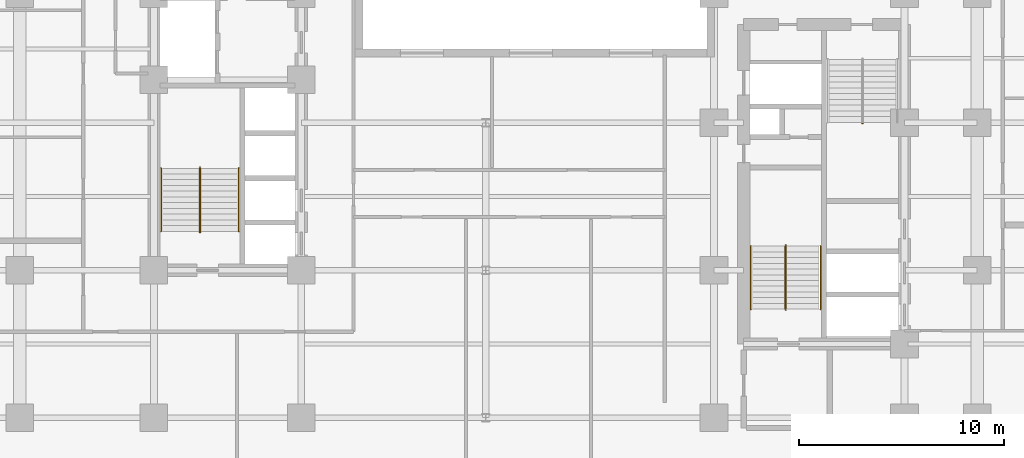
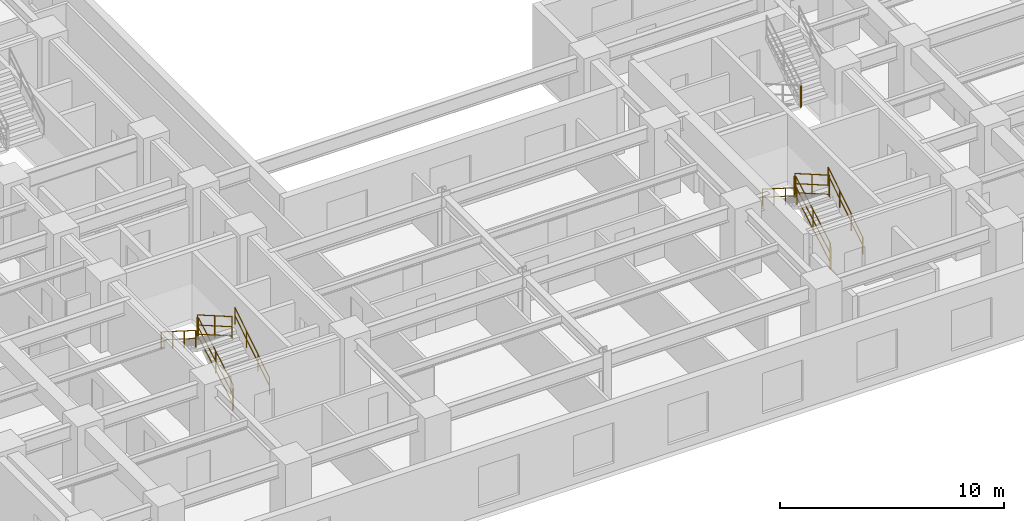
# One storey, part 7 of 9: 13 railings.
"""IFC4 building model written with IfcOpenShell, lengths in metres."""

from ifc_helpers import new_model, entity, si_unit, converted_unit, direction, frame, origin_with_axes, origin_2d_with_axis, place, context, subcontext, project, spatial, rectangle, circle, extrude, material, type_object, element, save


model = new_model("IFC4")

# Units and contexts
model_context = context("Model", 3, precision=1e-05, world=origin_with_axes(), true_north=direction((0.0, 1.0)))
body_context = subcontext(model_context, "Body", "Model", "MODEL_VIEW")
ifc_project = project(units=[si_unit("LENGTHUNIT", "METRE"), si_unit("AREAUNIT", "SQUARE_METRE"), si_unit("VOLUMEUNIT", "CUBIC_METRE"), converted_unit("PLANEANGLEUNIT", "DEGREE", entity("IfcPlaneAngleMeasure", 0.017453292519943295), si_unit("PLANEANGLEUNIT", "RADIAN"), dimensions=[0, 0, 0, 0, 0, 0, 0]), si_unit("MASSUNIT", "GRAM", prefix="KILO"), si_unit("THERMODYNAMICTEMPERATUREUNIT", "KELVIN")], contexts=[model_context])

# Site, building, storey
site_placement = place(None, origin_with_axes())
site = spatial("IfcSite", under=ifc_project, at=site_placement, CompositionType="ELEMENT")
building_placement = place(site_placement, origin_with_axes())
building = spatial("IfcBuilding", under=site, at=building_placement, Name="Varnlund Millrace Tower", CompositionType="ELEMENT")
storey_placement = place(building_placement, frame((0.0, 0.0, 52.2), z_axis=(0.0, 0.0, 1.0), x_axis=(1.0, 0.0, 0.0)))
storey = spatial("IfcBuildingStorey", under=building, at=storey_placement, Name="L12", CompositionType="ELEMENT", Elevation=52.2)

# Railings
ifc_material_1 = material(Name="Painted steel stair well balustrade guard", Category="steel")
railing_type_1 = type_object("IfcRailingType", Name="Type-StairGuard-1150", PredefinedType="GUARDRAIL", material=ifc_material_1)
railing_1_placement = place(storey_placement, frame((0.0, 0.0, -52.2), z_axis=(0.0, 0.0, 1.0), x_axis=(1.0, 0.0, 0.0)))
element("IfcRailing", 1, at=railing_1_placement, inside=storey, type_object=railing_type_1, Name="Type-StairGuard-1150", PredefinedType="GUARDRAIL", context=body_context, shape_type="SweptSolid", body=[
    extrude(circle(Radius=0.024, at=origin_2d_with_axis()), frame((13.675, 12.7, 53.527273), z_axis=(0.0, 0.866696, 0.498836), x_axis=(-1.0, 0.0, 0.0)), (0.0, 0.0, 1.0), 3.553725),
    extrude(circle(Radius=0.024, at=origin_2d_with_axis()), frame((13.675, 12.7, 52.477273), z_axis=(0.0, 0.866696, 0.498836), x_axis=(-1.0, 0.0, 0.0)), (0.0, 0.0, 1.0), 3.553725),
    extrude(circle(Radius=0.024, at=origin_2d_with_axis()), frame((13.675, 12.7, 52.975273), z_axis=(0.0, 0.866696, 0.498836), x_axis=(-1.0, 0.0, 0.0)), (0.0, 0.0, 1.0), 3.553725),
    extrude(rectangle(XDim=0.04, YDim=0.04, at=origin_2d_with_axis()), frame((13.675, 12.7, 52.337273), z_axis=(0.0, 0.0, 1.0), x_axis=(1.0, 0.0, 0.0)), (0.0, 0.0, 1.0), 1.19),
    extrude(rectangle(XDim=0.04, YDim=0.04, at=origin_2d_with_axis()), frame((13.675, 14.24, 53.223637), z_axis=(0.0, 0.0, 1.0), x_axis=(1.0, 0.0, 0.0)), (0.0, 0.0, 1.0), 1.19),
    extrude(rectangle(XDim=0.04, YDim=0.04, at=origin_2d_with_axis()), frame((13.675, 15.78, 54.11), z_axis=(0.0, 0.0, 1.0), x_axis=(1.0, 0.0, 0.0)), (0.0, 0.0, 1.0), 1.19),
])
railing_2_placement = place(storey_placement, frame((0.0, 0.0, -52.2), z_axis=(0.0, 0.0, 1.0), x_axis=(1.0, 0.0, 0.0)))
element("IfcRailing", 2, at=railing_2_placement, inside=storey, type_object=railing_type_1, Name="Type-StairGuard-1150", PredefinedType="GUARDRAIL", context=body_context, shape_type="SweptSolid", body=[
    extrude(circle(Radius=0.024, at=origin_2d_with_axis()), frame((13.625, 15.83, 55.3), z_axis=(1.0, 0.0, 0.0), x_axis=(0.0, 1.0, 0.0)), (0.0, 0.0, 1.0), 0.05),
    extrude(circle(Radius=0.024, at=origin_2d_with_axis()), frame((13.625, 15.83, 54.25), z_axis=(1.0, 0.0, 0.0), x_axis=(0.0, 1.0, 0.0)), (0.0, 0.0, 1.0), 0.05),
    extrude(circle(Radius=0.024, at=origin_2d_with_axis()), frame((13.625, 15.83, 54.748), z_axis=(1.0, 0.0, 0.0), x_axis=(0.0, 1.0, 0.0)), (0.0, 0.0, 1.0), 0.05),
    extrude(rectangle(XDim=0.04, YDim=0.04, at=origin_2d_with_axis()), frame((13.625, 15.83, 54.11), z_axis=(0.0, 0.0, 1.0), x_axis=(1.0, 0.0, 0.0)), (0.0, 0.0, 1.0), 1.19),
    extrude(rectangle(XDim=0.04, YDim=0.04, at=origin_2d_with_axis()), frame((13.675, 15.83, 54.11), z_axis=(0.0, 0.0, 1.0), x_axis=(1.0, 0.0, 0.0)), (0.0, 0.0, 1.0), 1.19),
])
railing_3_placement = place(storey_placement, frame((0.0, 0.0, -52.2), z_axis=(0.0, 0.0, 1.0), x_axis=(1.0, 0.0, 0.0)))
element("IfcRailing", 3, at=railing_3_placement, inside=storey, type_object=railing_type_1, Name="Type-StairGuard-1150", PredefinedType="GUARDRAIL", context=body_context, shape_type="SweptSolid", body=[
    extrude(circle(Radius=0.024, at=origin_2d_with_axis()), frame((13.625, 15.78, 55.477273), z_axis=(0.0, -0.866696, 0.498836), x_axis=(1.0, 0.0, 0.0)), (0.0, 0.0, 1.0), 3.553725),
    extrude(circle(Radius=0.024, at=origin_2d_with_axis()), frame((13.625, 15.78, 54.427273), z_axis=(0.0, -0.866696, 0.498836), x_axis=(1.0, 0.0, 0.0)), (0.0, 0.0, 1.0), 3.553725),
    extrude(circle(Radius=0.024, at=origin_2d_with_axis()), frame((13.625, 15.78, 54.925273), z_axis=(0.0, -0.866696, 0.498836), x_axis=(1.0, 0.0, 0.0)), (0.0, 0.0, 1.0), 3.553725),
    extrude(rectangle(XDim=0.04, YDim=0.04, at=origin_2d_with_axis()), frame((13.625, 15.78, 54.287273), z_axis=(0.0, 0.0, 1.0), x_axis=(1.0, 0.0, 0.0)), (0.0, 0.0, 1.0), 1.19),
    extrude(rectangle(XDim=0.04, YDim=0.04, at=origin_2d_with_axis()), frame((13.625, 14.24, 55.173636), z_axis=(0.0, 0.0, 1.0), x_axis=(1.0, 0.0, 0.0)), (0.0, 0.0, 1.0), 1.19),
    extrude(rectangle(XDim=0.04, YDim=0.04, at=origin_2d_with_axis()), frame((13.625, 12.7, 56.06), z_axis=(0.0, 0.0, 1.0), x_axis=(1.0, 0.0, 0.0)), (0.0, 0.0, 1.0), 1.19),
])
railing_4_placement = place(storey_placement, frame((0.0, 0.0, -52.2), z_axis=(0.0, 0.0, 1.0), x_axis=(1.0, 0.0, 0.0)))
element("IfcRailing", 4, at=railing_4_placement, inside=storey, type_object=railing_type_1, Name="Type-StairGuard-1150", PredefinedType="GUARDRAIL", context=body_context, shape_type="SweptSolid", body=[
    extrude(circle(Radius=0.024, at=origin_2d_with_axis()), frame((13.625, 12.65, 53.35), z_axis=(1.0, 0.0, 0.0), x_axis=(0.0, 1.0, 0.0)), (0.0, 0.0, 1.0), 0.05),
    extrude(circle(Radius=0.024, at=origin_2d_with_axis()), frame((13.625, 12.65, 52.3), z_axis=(1.0, 0.0, 0.0), x_axis=(0.0, 1.0, 0.0)), (0.0, 0.0, 1.0), 0.05),
    extrude(circle(Radius=0.024, at=origin_2d_with_axis()), frame((13.625, 12.65, 52.798), z_axis=(1.0, 0.0, 0.0), x_axis=(0.0, 1.0, 0.0)), (0.0, 0.0, 1.0), 0.05),
    extrude(rectangle(XDim=0.04, YDim=0.04, at=origin_2d_with_axis()), frame((13.625, 12.65, 52.16), z_axis=(0.0, 0.0, 1.0), x_axis=(1.0, 0.0, 0.0)), (0.0, 0.0, 1.0), 1.19),
    extrude(rectangle(XDim=0.04, YDim=0.04, at=origin_2d_with_axis()), frame((13.675, 12.65, 52.16), z_axis=(0.0, 0.0, 1.0), x_axis=(1.0, 0.0, 0.0)), (0.0, 0.0, 1.0), 1.19),
])
railing_5_placement = place(storey_placement, frame((0.0, 0.0, -52.2), z_axis=(0.0, 0.0, 1.0), x_axis=(1.0, 0.0, 0.0)))
element("IfcRailing", 5, at=railing_5_placement, inside=storey, type_object=railing_type_1, Name="Type-StairGuard-1150", PredefinedType="GUARDRAIL", context=body_context, shape_type="SweptSolid", body=[
    extrude(circle(Radius=0.024, at=origin_2d_with_axis()), frame((42.275, 8.9, 53.527273), z_axis=(0.0, 0.866696, 0.498836), x_axis=(-1.0, 0.0, 0.0)), (0.0, 0.0, 1.0), 3.553725),
    extrude(circle(Radius=0.024, at=origin_2d_with_axis()), frame((42.275, 8.9, 52.477273), z_axis=(0.0, 0.866696, 0.498836), x_axis=(-1.0, 0.0, 0.0)), (0.0, 0.0, 1.0), 3.553725),
    extrude(circle(Radius=0.024, at=origin_2d_with_axis()), frame((42.275, 8.9, 52.975273), z_axis=(0.0, 0.866696, 0.498836), x_axis=(-1.0, 0.0, 0.0)), (0.0, 0.0, 1.0), 3.553725),
    extrude(rectangle(XDim=0.04, YDim=0.04, at=origin_2d_with_axis()), frame((42.275, 8.9, 52.337273), z_axis=(0.0, 0.0, 1.0), x_axis=(1.0, 0.0, 0.0)), (0.0, 0.0, 1.0), 1.19),
    extrude(rectangle(XDim=0.04, YDim=0.04, at=origin_2d_with_axis()), frame((42.275, 10.44, 53.223637), z_axis=(0.0, 0.0, 1.0), x_axis=(1.0, 0.0, 0.0)), (0.0, 0.0, 1.0), 1.19),
    extrude(rectangle(XDim=0.04, YDim=0.04, at=origin_2d_with_axis()), frame((42.275, 11.98, 54.11), z_axis=(0.0, 0.0, 1.0), x_axis=(1.0, 0.0, 0.0)), (0.0, 0.0, 1.0), 1.19),
])
railing_6_placement = place(storey_placement, frame((0.0, 0.0, -52.2), z_axis=(0.0, 0.0, 1.0), x_axis=(1.0, 0.0, 0.0)))
element("IfcRailing", 6, at=railing_6_placement, inside=storey, type_object=railing_type_1, Name="Type-StairGuard-1150", PredefinedType="GUARDRAIL", context=body_context, shape_type="SweptSolid", body=[
    extrude(circle(Radius=0.024, at=origin_2d_with_axis()), frame((42.225, 12.03, 55.3), z_axis=(1.0, 0.0, 0.0), x_axis=(0.0, 1.0, 0.0)), (0.0, 0.0, 1.0), 0.05),
    extrude(circle(Radius=0.024, at=origin_2d_with_axis()), frame((42.225, 12.03, 54.25), z_axis=(1.0, 0.0, 0.0), x_axis=(0.0, 1.0, 0.0)), (0.0, 0.0, 1.0), 0.05),
    extrude(circle(Radius=0.024, at=origin_2d_with_axis()), frame((42.225, 12.03, 54.748), z_axis=(1.0, 0.0, 0.0), x_axis=(0.0, 1.0, 0.0)), (0.0, 0.0, 1.0), 0.05),
    extrude(rectangle(XDim=0.04, YDim=0.04, at=origin_2d_with_axis()), frame((42.225, 12.03, 54.11), z_axis=(0.0, 0.0, 1.0), x_axis=(1.0, 0.0, 0.0)), (0.0, 0.0, 1.0), 1.19),
    extrude(rectangle(XDim=0.04, YDim=0.04, at=origin_2d_with_axis()), frame((42.275, 12.03, 54.11), z_axis=(0.0, 0.0, 1.0), x_axis=(1.0, 0.0, 0.0)), (0.0, 0.0, 1.0), 1.19),
])
railing_7_placement = place(storey_placement, frame((0.0, 0.0, -52.2), z_axis=(0.0, 0.0, 1.0), x_axis=(1.0, 0.0, 0.0)))
element("IfcRailing", 7, at=railing_7_placement, inside=storey, type_object=railing_type_1, Name="Type-StairGuard-1150", PredefinedType="GUARDRAIL", context=body_context, shape_type="SweptSolid", body=[
    extrude(circle(Radius=0.024, at=origin_2d_with_axis()), frame((42.225, 11.98, 55.477273), z_axis=(0.0, -0.866696, 0.498836), x_axis=(1.0, 0.0, 0.0)), (0.0, 0.0, 1.0), 3.553725),
    extrude(circle(Radius=0.024, at=origin_2d_with_axis()), frame((42.225, 11.98, 54.427273), z_axis=(0.0, -0.866696, 0.498836), x_axis=(1.0, 0.0, 0.0)), (0.0, 0.0, 1.0), 3.553725),
    extrude(circle(Radius=0.024, at=origin_2d_with_axis()), frame((42.225, 11.98, 54.925273), z_axis=(0.0, -0.866696, 0.498836), x_axis=(1.0, 0.0, 0.0)), (0.0, 0.0, 1.0), 3.553725),
    extrude(rectangle(XDim=0.04, YDim=0.04, at=origin_2d_with_axis()), frame((42.225, 11.98, 54.287273), z_axis=(0.0, 0.0, 1.0), x_axis=(1.0, 0.0, 0.0)), (0.0, 0.0, 1.0), 1.19),
    extrude(rectangle(XDim=0.04, YDim=0.04, at=origin_2d_with_axis()), frame((42.225, 10.44, 55.173636), z_axis=(0.0, 0.0, 1.0), x_axis=(1.0, 0.0, 0.0)), (0.0, 0.0, 1.0), 1.19),
    extrude(rectangle(XDim=0.04, YDim=0.04, at=origin_2d_with_axis()), frame((42.225, 8.9, 56.06), z_axis=(0.0, 0.0, 1.0), x_axis=(1.0, 0.0, 0.0)), (0.0, 0.0, 1.0), 1.19),
])
railing_8_placement = place(storey_placement, frame((0.0, 0.0, -52.2), z_axis=(0.0, 0.0, 1.0), x_axis=(1.0, 0.0, 0.0)))
element("IfcRailing", 8, at=railing_8_placement, inside=storey, type_object=railing_type_1, Name="Type-StairGuard-1150", PredefinedType="GUARDRAIL", context=body_context, shape_type="SweptSolid", body=[
    extrude(circle(Radius=0.024, at=origin_2d_with_axis()), frame((42.225, 8.85, 53.35), z_axis=(1.0, 0.0, 0.0), x_axis=(0.0, 1.0, 0.0)), (0.0, 0.0, 1.0), 0.05),
    extrude(circle(Radius=0.024, at=origin_2d_with_axis()), frame((42.225, 8.85, 52.3), z_axis=(1.0, 0.0, 0.0), x_axis=(0.0, 1.0, 0.0)), (0.0, 0.0, 1.0), 0.05),
    extrude(circle(Radius=0.024, at=origin_2d_with_axis()), frame((42.225, 8.85, 52.798), z_axis=(1.0, 0.0, 0.0), x_axis=(0.0, 1.0, 0.0)), (0.0, 0.0, 1.0), 0.05),
    extrude(rectangle(XDim=0.04, YDim=0.04, at=origin_2d_with_axis()), frame((42.225, 8.85, 52.16), z_axis=(0.0, 0.0, 1.0), x_axis=(1.0, 0.0, 0.0)), (0.0, 0.0, 1.0), 1.19),
    extrude(rectangle(XDim=0.04, YDim=0.04, at=origin_2d_with_axis()), frame((42.275, 8.85, 52.16), z_axis=(0.0, 0.0, 1.0), x_axis=(1.0, 0.0, 0.0)), (0.0, 0.0, 1.0), 1.19),
])
railing_9_placement = place(storey_placement, frame((0.0, 0.0, -52.2), z_axis=(0.0, 0.0, 1.0), x_axis=(1.0, 0.0, 0.0)))
element("IfcRailing", 9, at=railing_9_placement, inside=storey, type_object=railing_type_1, Name="Type-StairGuard-1150", PredefinedType="GUARDRAIL", context=body_context, shape_type="SweptSolid", body=[
    extrude(circle(Radius=0.024, at=origin_2d_with_axis()), frame((46.025, 17.97, 55.3), z_axis=(-1.0, 0.0, 0.0), x_axis=(0.0, -1.0, 0.0)), (0.0, 0.0, 1.0), 0.05),
    extrude(circle(Radius=0.024, at=origin_2d_with_axis()), frame((46.025, 17.97, 54.25), z_axis=(-1.0, 0.0, 0.0), x_axis=(0.0, -1.0, 0.0)), (0.0, 0.0, 1.0), 0.05),
    extrude(circle(Radius=0.024, at=origin_2d_with_axis()), frame((46.025, 17.97, 54.748), z_axis=(-1.0, 0.0, 0.0), x_axis=(0.0, -1.0, 0.0)), (0.0, 0.0, 1.0), 0.05),
    extrude(rectangle(XDim=0.04, YDim=0.04, at=origin_2d_with_axis()), frame((46.025, 17.97, 54.11), z_axis=(0.0, 0.0, 1.0), x_axis=(1.0, 0.0, 0.0)), (0.0, 0.0, 1.0), 1.19),
    extrude(rectangle(XDim=0.04, YDim=0.04, at=origin_2d_with_axis()), frame((45.975, 17.97, 54.11), z_axis=(0.0, 0.0, 1.0), x_axis=(1.0, 0.0, 0.0)), (0.0, 0.0, 1.0), 1.19),
])
ifc_material_2 = material(Name="Brushed architectural bronze stair handrail", Category="aluminium")
railing_type_2 = type_object("IfcRailingType", Name="Type-StairHandrail-900", PredefinedType="HANDRAIL", material=ifc_material_2)
railing_10_placement = place(storey_placement, frame((0.0, 0.0, -52.2), z_axis=(0.0, 0.0, 1.0), x_axis=(1.0, 0.0, 0.0)))
element("IfcRailing", 10, at=railing_10_placement, inside=storey, type_object=railing_type_2, Name="Type-StairHandrail-900", PredefinedType="HANDRAIL", context=body_context, shape_type="SweptSolid", body=[
    extrude(circle(Radius=0.024, at=origin_2d_with_axis()), frame((15.55, 12.7, 53.256995), z_axis=(0.0, 0.844902, 0.534922), x_axis=(-1.0, 0.0, 0.0)), (0.0, 0.0, 1.0), 3.645394),
    extrude(circle(Radius=0.024, at=origin_2d_with_axis()), frame((15.55, 12.7, 52.817134), z_axis=(0.0, 0.844902, 0.534922), x_axis=(-1.0, 0.0, 0.0)), (0.0, 0.0, 1.0), 3.645394),
    extrude(rectangle(XDim=0.04, YDim=0.04, at=origin_2d_with_axis()), frame((15.55, 12.7, 52.337273), z_axis=(0.0, 0.0, 1.0), x_axis=(1.0, 0.0, 0.0)), (0.0, 0.0, 1.0), 0.919722),
    extrude(rectangle(XDim=0.04, YDim=0.04, at=origin_2d_with_axis()), frame((15.55, 13.726667, 52.987273), z_axis=(0.0, 0.0, 1.0), x_axis=(1.0, 0.0, 0.0)), (0.0, 0.0, 1.0), 0.919722),
    extrude(rectangle(XDim=0.04, YDim=0.04, at=origin_2d_with_axis()), frame((15.55, 14.753333, 53.637273), z_axis=(0.0, 0.0, 1.0), x_axis=(1.0, 0.0, 0.0)), (0.0, 0.0, 1.0), 0.919722),
    extrude(rectangle(XDim=0.04, YDim=0.04, at=origin_2d_with_axis()), frame((15.55, 15.78, 54.287273), z_axis=(0.0, 0.0, 1.0), x_axis=(1.0, 0.0, 0.0)), (0.0, 0.0, 1.0), 0.919722),
])
railing_11_placement = place(storey_placement, frame((0.0, 0.0, -52.2), z_axis=(0.0, 0.0, 1.0), x_axis=(1.0, 0.0, 0.0)))
element("IfcRailing", 11, at=railing_11_placement, inside=storey, type_object=railing_type_2, Name="Type-StairHandrail-900", PredefinedType="HANDRAIL", context=body_context, shape_type="SweptSolid", body=[
    extrude(circle(Radius=0.024, at=origin_2d_with_axis()), frame((11.75, 15.78, 55.206995), z_axis=(0.0, -0.844902, 0.534922), x_axis=(1.0, 0.0, 0.0)), (0.0, 0.0, 1.0), 3.645394),
    extrude(circle(Radius=0.024, at=origin_2d_with_axis()), frame((11.75, 15.78, 54.767134), z_axis=(0.0, -0.844902, 0.534922), x_axis=(1.0, 0.0, 0.0)), (0.0, 0.0, 1.0), 3.645394),
    extrude(rectangle(XDim=0.04, YDim=0.04, at=origin_2d_with_axis()), frame((11.75, 15.78, 54.287273), z_axis=(0.0, 0.0, 1.0), x_axis=(1.0, 0.0, 0.0)), (0.0, 0.0, 1.0), 0.919722),
    extrude(rectangle(XDim=0.04, YDim=0.04, at=origin_2d_with_axis()), frame((11.75, 14.753333, 54.937273), z_axis=(0.0, 0.0, 1.0), x_axis=(1.0, 0.0, 0.0)), (0.0, 0.0, 1.0), 0.919722),
    extrude(rectangle(XDim=0.04, YDim=0.04, at=origin_2d_with_axis()), frame((11.75, 13.726667, 55.587273), z_axis=(0.0, 0.0, 1.0), x_axis=(1.0, 0.0, 0.0)), (0.0, 0.0, 1.0), 0.919722),
    extrude(rectangle(XDim=0.04, YDim=0.04, at=origin_2d_with_axis()), frame((11.75, 12.7, 56.237273), z_axis=(0.0, 0.0, 1.0), x_axis=(1.0, 0.0, 0.0)), (0.0, 0.0, 1.0), 0.919722),
])
railing_12_placement = place(storey_placement, frame((0.0, 0.0, -52.2), z_axis=(0.0, 0.0, 1.0), x_axis=(1.0, 0.0, 0.0)))
element("IfcRailing", 12, at=railing_12_placement, inside=storey, type_object=railing_type_2, Name="Type-StairHandrail-900", PredefinedType="HANDRAIL", context=body_context, shape_type="SweptSolid", body=[
    extrude(circle(Radius=0.024, at=origin_2d_with_axis()), frame((43.95, 8.9, 53.256995), z_axis=(0.0, 0.844902, 0.534922), x_axis=(-1.0, 0.0, 0.0)), (0.0, 0.0, 1.0), 3.645394),
    extrude(circle(Radius=0.024, at=origin_2d_with_axis()), frame((43.95, 8.9, 52.817134), z_axis=(0.0, 0.844902, 0.534922), x_axis=(-1.0, 0.0, 0.0)), (0.0, 0.0, 1.0), 3.645394),
    extrude(rectangle(XDim=0.04, YDim=0.04, at=origin_2d_with_axis()), frame((43.95, 8.9, 52.337273), z_axis=(0.0, 0.0, 1.0), x_axis=(1.0, 0.0, 0.0)), (0.0, 0.0, 1.0), 0.919722),
    extrude(rectangle(XDim=0.04, YDim=0.04, at=origin_2d_with_axis()), frame((43.95, 9.926667, 52.987273), z_axis=(0.0, 0.0, 1.0), x_axis=(1.0, 0.0, 0.0)), (0.0, 0.0, 1.0), 0.919722),
    extrude(rectangle(XDim=0.04, YDim=0.04, at=origin_2d_with_axis()), frame((43.95, 10.953333, 53.637273), z_axis=(0.0, 0.0, 1.0), x_axis=(1.0, 0.0, 0.0)), (0.0, 0.0, 1.0), 0.919722),
    extrude(rectangle(XDim=0.04, YDim=0.04, at=origin_2d_with_axis()), frame((43.95, 11.98, 54.287273), z_axis=(0.0, 0.0, 1.0), x_axis=(1.0, 0.0, 0.0)), (0.0, 0.0, 1.0), 0.919722),
])
railing_13_placement = place(storey_placement, frame((0.0, 0.0, -52.2), z_axis=(0.0, 0.0, 1.0), x_axis=(1.0, 0.0, 0.0)))
element("IfcRailing", 13, at=railing_13_placement, inside=storey, type_object=railing_type_2, Name="Type-StairHandrail-900", PredefinedType="HANDRAIL", context=body_context, shape_type="SweptSolid", body=[
    extrude(circle(Radius=0.024, at=origin_2d_with_axis()), frame((40.55, 11.98, 55.206995), z_axis=(0.0, -0.844902, 0.534922), x_axis=(1.0, 0.0, 0.0)), (0.0, 0.0, 1.0), 3.645394),
    extrude(circle(Radius=0.024, at=origin_2d_with_axis()), frame((40.55, 11.98, 54.767134), z_axis=(0.0, -0.844902, 0.534922), x_axis=(1.0, 0.0, 0.0)), (0.0, 0.0, 1.0), 3.645394),
    extrude(rectangle(XDim=0.04, YDim=0.04, at=origin_2d_with_axis()), frame((40.55, 11.98, 54.287273), z_axis=(0.0, 0.0, 1.0), x_axis=(1.0, 0.0, 0.0)), (0.0, 0.0, 1.0), 0.919722),
    extrude(rectangle(XDim=0.04, YDim=0.04, at=origin_2d_with_axis()), frame((40.55, 10.953333, 54.937273), z_axis=(0.0, 0.0, 1.0), x_axis=(1.0, 0.0, 0.0)), (0.0, 0.0, 1.0), 0.919722),
    extrude(rectangle(XDim=0.04, YDim=0.04, at=origin_2d_with_axis()), frame((40.55, 9.926667, 55.587273), z_axis=(0.0, 0.0, 1.0), x_axis=(1.0, 0.0, 0.0)), (0.0, 0.0, 1.0), 0.919722),
    extrude(rectangle(XDim=0.04, YDim=0.04, at=origin_2d_with_axis()), frame((40.55, 8.9, 56.237273), z_axis=(0.0, 0.0, 1.0), x_axis=(1.0, 0.0, 0.0)), (0.0, 0.0, 1.0), 0.919722),
])

save(model, "model.ifc")
